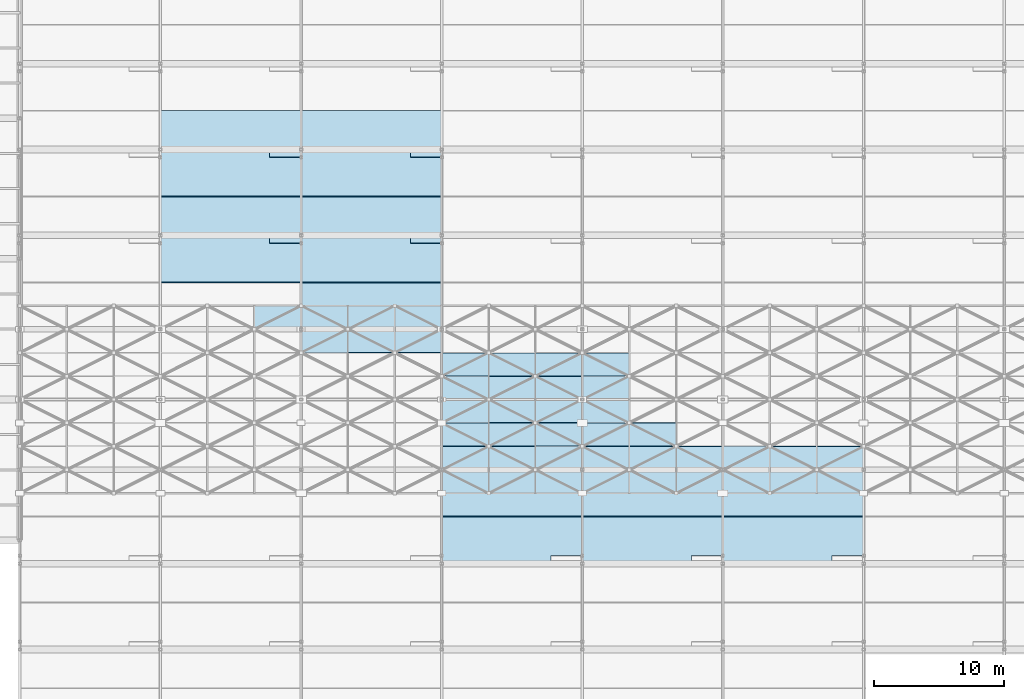
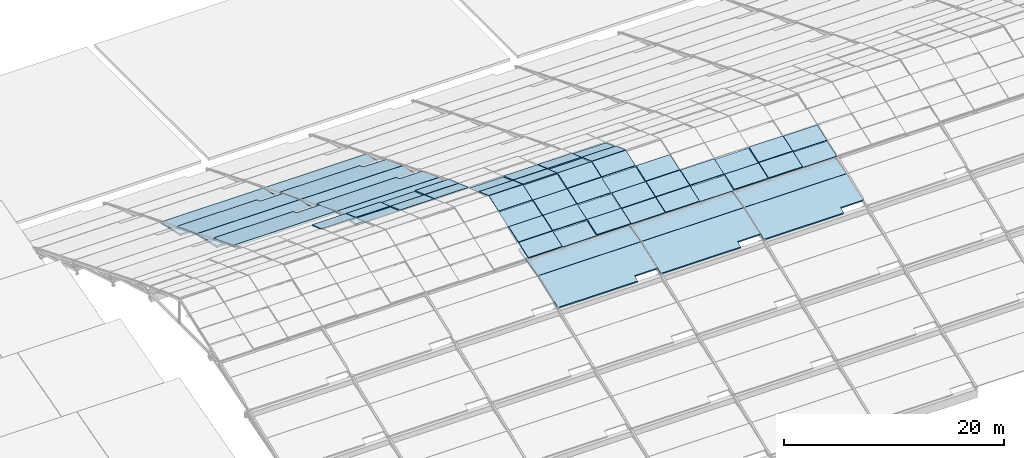
# One storey, part 99 of 112: 42 plates, 15 slabs, 5 elements without a shape of their own.
"""IFC4 building model written with IfcOpenShell, lengths in metres."""

from ifc_helpers import new_model, si_unit, direction, frame, origin, place, context, subcontext, project, spatial, polyline, outline, extrude, material, layer, layer_set, type_object, element, aggregate, save


model = new_model("IFC4")

# Units and contexts
model_context = context("Model", 3, precision=1e-05, world=origin(), true_north=direction((0.0, 1.0)))
body_context = subcontext(model_context, "Body", "Model", "MODEL_VIEW")
ifc_project = project(units=[si_unit("LENGTHUNIT", "METRE"), si_unit("AREAUNIT", "SQUARE_METRE"), si_unit("VOLUMEUNIT", "CUBIC_METRE"), si_unit("PLANEANGLEUNIT", "RADIAN"), si_unit("MASSUNIT", "GRAM", prefix="KILO")], contexts=[model_context])

# Site, building, storey
site_placement = place(None, origin())
site = spatial("IfcSite", under=ifc_project, at=site_placement, CompositionType="ELEMENT")
building_placement = place(site_placement, origin())
building = spatial("IfcBuilding", under=site, at=building_placement, Name="Zwinboog Wholesale Market", CompositionType="ELEMENT")
storey_placement = place(building_placement, frame((0.0, 0.0, 19.080078125)))
storey = spatial("IfcBuildingStorey", under=building, at=storey_placement, Name="Roof", CompositionType="ELEMENT", Elevation=19.080078125)

# Roof, slab
ifc_material_1 = material(Name="Concrete C50/60", Category="concrete")
roof_type = type_object("IfcRoofType", Name="RFT-SHELL-BARREL", PredefinedType="BARREL_ROOF", material=ifc_material_1)
roof_1_placement = place(storey_placement, origin())
roof_1 = element("IfcRoof", 1, at=roof_1_placement, inside=storey, type_object=roof_type, Name="RF-SH (ROOF-BARREL-02)", PredefinedType="BARREL_ROOF")
ifc_layer_1 = layer(ifc_material_1, 0.172119140625)
ifc_layer_set_1 = layer_set([ifc_layer_1], Name="Concrete C50/60")
slab_type_1 = type_object("IfcSlabType", Name="SLT-SH-172", PredefinedType="ROOF", material=ifc_layer_set_1)
slab_1_placement = place(storey_placement, frame((75.610107421875, 94.2099609375, -4.630126953125), z_axis=(0.0, 0.219360206869, 0.975643941017), x_axis=(1.0, 0.0, 0.0)))
slab_1 = element("IfcSlab", 2, at=slab_1_placement, type_object=slab_type_1, Name="SH-172 (SLB-SH-NT2-B02-2)", PredefinedType="ROOF", context=body_context, shape_type="SweptSolid", body=[
    extrude(outline(polyline([(0.0, 0.0), (10.77978515625, 0.0), (10.77978515625, 3.669451502225199), (0.0, 3.669451502225199), (0.0, 0.0)])), origin(), (0.0, 0.0, -1.0), 0.172119140625),
])

roof_2_placement = place(storey_placement, origin())
roof_2 = element("IfcRoof", 3, at=roof_2_placement, inside=storey, type_object=roof_type, Name="RF-SH (ROOF-BARREL-03)", PredefinedType="BARREL_ROOF")
slab_2_placement = place(storey_placement, frame((86.409912109375, 94.2099609375, -4.630126953125), z_axis=(0.0, 0.219360206869, 0.975643941017), x_axis=(1.0, 0.0, 0.0)))
slab_2 = element("IfcSlab", 4, at=slab_2_placement, type_object=slab_type_1, Name="SH-172 (SLB-SH-NT2-B03-2)", PredefinedType="ROOF", context=body_context, shape_type="SweptSolid", body=[
    extrude(outline(polyline([(0.0, 0.0), (10.780029296875, 0.0), (10.780029296875, 3.669451502225199), (0.0, 3.669451502225199), (0.0, 0.0)])), origin(), (0.0, 0.0, -1.0), 0.172119140625),
])

# Slab
ifc_layer_2 = layer(ifc_material_1, 0.18603515625)
ifc_layer_set_2 = layer_set([ifc_layer_2], Name="Concrete C50/60")
slab_type_2 = type_object("IfcSlabType", Name="SLT-SH-186", PredefinedType="ROOF", material=ifc_layer_set_2)
slab_3_placement = place(storey_placement, frame((75.610107421875, 91.2099609375, -2.735107421875), z_axis=(4.69326e-06, 0.351688567707, 0.936117060694), x_axis=(0.999999999989, -1.650566e-06, -4.393441e-06)))
slab_3 = element("IfcSlab", 5, at=slab_3_placement, type_object=slab_type_2, Name="SH-186 (SLB-SH-NT3-B02-1)", PredefinedType="ROOF", context=body_context, shape_type="SweptSolid", body=[
    extrude(outline(polyline([(0.0, 0.0), (10.779785156131279, 0.0), (10.77978515650044, 3.183371243768934), (8.37988281277687, 3.183371243768934), (8.379882812301986, 3.824383031661528), (-1.0572380666834866e-10, 3.824383031661528), (0.0, 0.0)])), origin(), (0.0, 0.0, -1.0), 0.18603515625),
])

slab_4_placement = place(storey_placement, frame((75.610107421875, 87.610107421875, -1.93017578125), z_axis=(0.0, 0.219374447053, 0.975640739197), x_axis=(1.0, 0.0, 0.0)))
slab_4 = element("IfcSlab", 6, at=slab_4_placement, type_object=slab_type_2, Name="SH-186 (SLB-SH-NT3-B02-2)", PredefinedType="ROOF", context=body_context, shape_type="SweptSolid", body=[
    extrude(outline(polyline([(0.0, 0.0), (10.77978515625, 0.0), (10.77978515625, 3.6692133082944967), (0.0, 3.6692133082944967), (0.0, 0.0)])), origin(), (0.0, 0.0, -1.0), 0.18603515625),
])

slab_5_placement = place(storey_placement, frame((86.409912109375, 91.2099609375, -2.735107421875), z_axis=(4.69315e-06, 0.351688567577, 0.936117060743), x_axis=(0.999999999989, -1.650527e-06, -4.393337e-06)))
slab_5 = element("IfcSlab", 7, at=slab_5_placement, type_object=slab_type_2, Name="SH-186 (SLB-SH-NT3-B03-1)", PredefinedType="ROOF", context=body_context, shape_type="SweptSolid", body=[
    extrude(outline(polyline([(0.0, 0.0), (10.78002929675628, 2.2827599967049336e-21), (10.780029297125436, 3.183371243768923), (8.380126953401867, 3.183371243768923), (8.380126952926993, 3.824383031661531), (-1.0571883235301646e-10, 3.824383031661531), (0.0, 0.0)])), origin(), (0.0, 0.0, -1.0), 0.18603515625),
])

slab_6_placement = place(storey_placement, frame((86.409912109375, 87.610107421875, -1.93017578125), z_axis=(0.0, 0.219374447053, 0.975640739197), x_axis=(1.0, 0.0, 0.0)))
slab_6 = element("IfcSlab", 8, at=slab_6_placement, type_object=slab_type_2, Name="SH-186 (SLB-SH-NT3-B03-2)", PredefinedType="ROOF", context=body_context, shape_type="SweptSolid", body=[
    extrude(outline(polyline([(0.0, 0.0), (10.780029296875, 0.0), (10.780029296875, 3.6692133082944967), (0.0, 3.6692133082944967), (0.0, 0.0)])), origin(), (0.0, 0.0, -1.0), 0.18603515625),
])

ifc_layer_3 = layer(ifc_material_1, 0.201904296875)
ifc_layer_set_3 = layer_set([ifc_layer_3], Name="Concrete C50/60")
slab_type_3 = type_object("IfcSlabType", Name="SLT-SH-202", PredefinedType="ROOF", material=ifc_layer_set_3)
slab_7_placement = place(storey_placement, frame((75.610107421875, 84.610107421875, -0.03515625), z_axis=(1.249594e-06, 0.351705539607, 0.936110684379), x_axis=(0.999999999999, -4.39489e-07, -1.169758e-06)))
slab_7 = element("IfcSlab", 9, at=slab_7_placement, type_object=slab_type_3, Name="SH-202 (SLB-SH-NT4-B02-1)", PredefinedType="ROOF", context=body_context, shape_type="SweptSolid", body=[
    extrude(outline(polyline([(0.0, 0.0), (10.779785156241584, 0.0), (10.779785156267753, 3.1833712446718234), (8.379882812519627, 3.1833712446718234), (8.379882812485963, 3.824154487977018), (-7.494821892877005e-12, 3.824154487977018), (0.0, 0.0)])), origin(), (0.0, 0.0, -1.0), 0.201904296875),
])

aggregate(roof_1, [slab_1, slab_3, slab_4, slab_7])

slab_8_placement = place(storey_placement, frame((86.409912109375, 84.610107421875, -0.03515625), z_axis=(1.249564e-06, 0.351705539572, 0.936110684392), x_axis=(0.999999999999, -4.39479e-07, -1.169731e-06)))
slab_8 = element("IfcSlab", 10, at=slab_8_placement, type_object=slab_type_3, Name="SH-202 (SLB-SH-NT4-B03-1)", PredefinedType="ROOF", context=body_context, shape_type="SweptSolid", body=[
    extrude(outline(polyline([(0.0, 0.0), (10.780029296866584, -5.706899991762334e-22), (10.780029296892753, 3.183371244671823), (8.380126953144627, 3.183371244671823), (8.380126953110963, 3.824154487977019), (-7.494469264378976e-12, 3.824154487977019), (0.0, 0.0)])), origin(), (0.0, 0.0, -1.0), 0.201904296875),
])

slab_9_placement = place(storey_placement, frame((86.409912109375, 81.010009765625, 0.77001953125), z_axis=(0.0, 0.219423537249, 0.975629699887), x_axis=(1.0, 0.0, 0.0)))
slab_9 = element("IfcSlab", 11, at=slab_9_placement, type_object=slab_type_3, Name="SH-202 (SLB-SH-NT4-B03-2)", PredefinedType="ROOF", context=body_context, shape_type="SweptSolid", body=[
    extrude(outline(polyline([(0.0, 0.0), (10.780029296875, 0.0), (10.780029296875, 3.66950506469402), (0.0, 3.66950506469402), (0.0, 0.0)])), origin(), (0.0, 0.0, -1.0), 0.201904296875),
])

aggregate(roof_2, [slab_2, slab_5, slab_6, slab_8, slab_9])

# Roof, slabs
roof_3_placement = place(storey_placement, origin())
roof_3 = element("IfcRoof", 12, at=roof_3_placement, inside=storey, type_object=roof_type, Name="RF-SH (ROOF-BARREL-04)", PredefinedType="BARREL_ROOF")
slab_10_placement = place(storey_placement, frame((97.2099609375, 63.010009765625, -1.380126953125), z_axis=(4.69315e-06, -0.351688567577, 0.936117060743), x_axis=(0.999999999989, 1.650527e-06, -4.393337e-06)))
slab_10 = element("IfcSlab", 13, at=slab_10_placement, type_object=slab_type_3, Name="SH-202 (SLB-SH-ST4-B04-1)", PredefinedType="ROOF", context=body_context, shape_type="SweptSolid", body=[
    extrude(outline(polyline([(0.0, 0.0), (8.380126953032711, -1.774560907867667e-21), (8.380126953507585, 0.6410117878926078), (10.780029297231154, 0.6410117878926078), (10.780029296861999, 3.824383031661531), (1.0571883235301646e-10, 3.824383031661531), (0.0, 0.0)])), origin(), (0.0, 0.0, -1.0), 0.201904296875),
])
slab_11_placement = place(storey_placement, frame((97.2099609375, 66.610107421875, -0.03515625), z_axis=(0.0, -0.219437781128, 0.975626496265), x_axis=(1.0, 0.0, 0.0)))
slab_11 = element("IfcSlab", 14, at=slab_11_placement, type_object=slab_type_3, Name="SH-202 (SLB-SH-ST4-B04-2)", PredefinedType="ROOF", context=body_context, shape_type="SweptSolid", body=[
    extrude(outline(polyline([(0.0, 0.0), (10.780029296875, 0.0), (10.780029296875, 3.669266874240375), (0.0, 3.669266874240375), (0.0, 0.0)])), origin(), (0.0, 0.0, -1.0), 0.201904296875),
])
aggregate(roof_3, [slab_10, slab_11])

roof_4_placement = place(storey_placement, origin())
roof_4 = element("IfcRoof", 15, at=roof_4_placement, inside=storey, type_object=roof_type, Name="RF-SH (ROOF-BARREL-05)", PredefinedType="BARREL_ROOF")
slab_12_placement = place(storey_placement, frame((108.010009765625, 63.010009765625, -1.380126953125), z_axis=(4.693168e-06, -0.35168856816, 0.936117060524), x_axis=(0.999999999989, 1.650534e-06, -4.393355e-06)))
slab_12 = element("IfcSlab", 16, at=slab_12_placement, type_object=slab_type_3, Name="SH-202 (SLB-SH-ST4-B05-1)", PredefinedType="ROOF", context=body_context, shape_type="SweptSolid", body=[
    extrude(outline(polyline([(0.0, 0.0), (8.379882812407713, -1.7745092090793826e-21), (8.379882812882592, 0.641011787892545), (10.78002929723116, 0.641011787892545), (10.78002929686201, 3.8243830316615175), (1.0573042088097136e-10, 3.8243830316615175), (0.0, 0.0)])), origin(), (0.0, 0.0, -1.0), 0.201904296875),
])
slab_13_placement = place(storey_placement, frame((108.010009765625, 66.610107421875, -0.03515625), z_axis=(0.0, -0.219437781128, 0.975626496265), x_axis=(1.0, 0.0, 0.0)))
slab_13 = element("IfcSlab", 17, at=slab_13_placement, type_object=slab_type_3, Name="SH-202 (SLB-SH-ST4-B05-2)", PredefinedType="ROOF", context=body_context, shape_type="SweptSolid", body=[
    extrude(outline(polyline([(0.0, 0.0), (10.780029296875, 0.0), (10.780029296875, 3.669266874240375), (0.0, 3.669266874240375), (0.0, 0.0)])), origin(), (0.0, 0.0, -1.0), 0.201904296875),
])
aggregate(roof_4, [slab_12, slab_13])

roof_5_placement = place(storey_placement, origin())
roof_5 = element("IfcRoof", 18, at=roof_5_placement, inside=storey, type_object=roof_type, Name="RF-SH (ROOF-BARREL-01)", PredefinedType="BARREL_ROOF")
slab_14_placement = place(storey_placement, frame((118.81005859375, 63.010009765625, -1.380126953125), z_axis=(4.693168e-06, -0.35168856816, 0.936117060524), x_axis=(0.999999999989, 1.650534e-06, -4.393355e-06)))
slab_14 = element("IfcSlab", 19, at=slab_14_placement, type_object=slab_type_3, Name="SH-202 (SLB-SH-ST4-B06-1)", PredefinedType="ROOF", context=body_context, shape_type="SweptSolid", body=[
    extrude(outline(polyline([(0.0, 0.0), (8.379882812407713, -1.7745092090793826e-21), (8.379882812882592, 0.641011787892545), (10.78002929723116, 0.641011787892545), (10.78002929686201, 3.8243830316615175), (1.0573042088097136e-10, 3.8243830316615175), (0.0, 0.0)])), origin(), (0.0, 0.0, -1.0), 0.201904296875),
])
slab_15_placement = place(storey_placement, frame((118.81005859375, 66.610107421875, -0.03515625), z_axis=(0.0, -0.219437781128, 0.975626496265), x_axis=(1.0, 0.0, 0.0)))
slab_15 = element("IfcSlab", 20, at=slab_15_placement, type_object=slab_type_3, Name="SH-202 (SLB-SH-ST4-B06-2)", PredefinedType="ROOF", context=body_context, shape_type="SweptSolid", body=[
    extrude(outline(polyline([(0.0, 0.0), (10.780029296875, 0.0), (10.780029296875, 3.669266874240375), (0.0, 3.669266874240375), (0.0, 0.0)])), origin(), (0.0, 0.0, -1.0), 0.201904296875),
])
aggregate(roof_5, [slab_14, slab_15])

# Plates
ifc_material_2 = material(Name="Blue solar control glass", Category="glass")
ifc_layer_4 = layer(ifc_material_2, 0.030029296875)
ifc_layer_set_4 = layer_set([ifc_layer_4], Name="Blue solar control glass")
plate_type_1 = type_object("IfcPlateType", Name="PLT-SKG-01", PredefinedType="SHEET", material=ifc_layer_set_4)
for number, where, z_axis, x_axis, name in (
    (21, (86.419921875, 79.219970703125, 2.017822265625), (0.0, 0.333825357548, 0.942634940291), (1.0, 0.0, 0.0), "SKG-01 (PLT-SKY-0066)"),
    (22, (104.419921875, 70.219970703125, 1.39453125), (0.0, -0.333825357548, 0.942634940291), (1.0, 0.0, 0.0), "SKG-01 (PLT-SKY-0106)"),
):
    element("IfcPlate", number, at=place(storey_placement, frame(where, z_axis=z_axis, x_axis=x_axis)), inside=storey, type_object=plate_type_1, Name=name, PredefinedType="SHEET", context=body_context, shape_type="SweptSolid", body=[
        extrude(outline(polyline([(0.0, 0.0), (3.56005859375, 0.0), (3.56005859375, 1.8671170464794682), (0.0, 1.8671170464794682), (0.0, 0.0)])), origin(), (0.0, 0.0, -1.0), 0.030029296875),
    ])
ifc_layer_5 = layer(ifc_material_2, 0.033935546875)
ifc_layer_set_5 = layer_set([ifc_layer_5], Name="Blue solar control glass")
plate_type_2 = type_object("IfcPlateType", Name="PLT-SKG-02", PredefinedType="SHEET", material=ifc_layer_set_5)
plate_1_placement = place(storey_placement, frame((100.820068359375, 73.820068359375, 2.673583984375), z_axis=(0.0, -0.333825357548, 0.942634940291), x_axis=(1.0, 0.0, 0.0)))
element("IfcPlate", 23, at=plate_1_placement, inside=storey, type_object=plate_type_2, Name="SKG-02 (PLT-SKY-0100)", PredefinedType="SHEET", context=body_context, shape_type="SweptSolid", body=[
    extrude(outline(polyline([(0.0, 0.0), (3.559814453125, 0.0), (3.559814453125, 1.8671170464794682), (0.0, 1.8671170464794682), (0.0, 0.0)])), origin(), (0.0, 0.0, -1.0), 0.033935546875),
])
ifc_layer_6 = layer(ifc_material_2, 0.0380859375)
ifc_layer_set_6 = layer_set([ifc_layer_6], Name="Blue solar control glass")
plate_type_3 = type_object("IfcPlateType", Name="PLT-SKG-03", PredefinedType="SHEET", material=ifc_layer_set_6)
for number, where, z_axis, x_axis, name in (
    (24, (90.02001953125, 81.02001953125, 1.388427734375), (0.0, 0.333825357548, 0.942634940291), (1.0, 0.0, 0.0), "SKG-03 (PLT-SKY-0076)"),
    (25, (97.219970703125, 77.419921875, 2.663330078125), (0.0, 0.333825357548, 0.942634940291), (1.0, 0.0, 0.0), "SKG-03 (PLT-SKY-0093)"),
    (26, (108.02001953125, 72.02001953125, 2.0400390625), (0.0, -0.333825357548, 0.942634940291), (1.0, 0.0, 0.0), "SKG-03 (PLT-SKY-0116)"),
    (27, (115.219970703125, 68.419921875, 0.76513671875), (0.0, -0.333825357548, 0.942634940291), (1.0, 0.0, 0.0), "SKG-03 (PLT-SKY-0133)"),
):
    element("IfcPlate", number, at=place(storey_placement, frame(where, z_axis=z_axis, x_axis=x_axis)), inside=storey, type_object=plate_type_3, Name=name, PredefinedType="SHEET", context=body_context, shape_type="SweptSolid", body=[
        extrude(outline(polyline([(0.0, 0.0), (3.56005859375, 0.0), (3.56005859375, 1.8671170464794682), (0.0, 1.8671170464794682), (0.0, 0.0)])), origin(), (0.0, 0.0, -1.0), 0.0380859375),
    ])
ifc_layer_7 = layer(ifc_material_2, 0.0419921875)
ifc_layer_set_7 = layer_set([ifc_layer_7], Name="Blue solar control glass")
plate_type_4 = type_object("IfcPlateType", Name="PLT-SKG-04", PredefinedType="SHEET", material=ifc_layer_set_7)
plate_2_placement = place(storey_placement, frame((104.419921875, 75.6201171875, 3.304931640625), z_axis=(0.0, 0.333866508657, 0.942620366), x_axis=(1.0, 0.0, 0.0)))
element("IfcPlate", 28, at=plate_2_placement, inside=storey, type_object=plate_type_4, Name="SKG-04 (PLT-SKY-0109)", PredefinedType="SHEET", context=body_context, shape_type="SweptSolid", body=[
    extrude(outline(polyline([(0.0, 0.0), (3.56005859375, 0.0), (3.56005859375, 1.866886912774977), (0.0, 1.866886912774977), (0.0, 0.0)])), origin(), (0.0, 0.0, -1.0), 0.0419921875),
])
ifc_layer_8 = layer(ifc_material_2, 0.0458984375)
ifc_layer_set_8 = layer_set([ifc_layer_8], Name="Blue solar control glass")
plate_type_5 = type_object("IfcPlateType", Name="PLT-SKG-05", PredefinedType="SHEET", material=ifc_layer_set_8)
plate_3_placement = place(storey_placement, frame((100.820068359375, 68.419921875, 0.77294921875), z_axis=(0.0, -0.333825357548, 0.942634940291), x_axis=(1.0, 0.0, 0.0)))
element("IfcPlate", 29, at=plate_3_placement, inside=storey, type_object=plate_type_5, Name="SKG-05 (PLT-SKY-0097)", PredefinedType="SHEET", context=body_context, shape_type="SweptSolid", body=[
    extrude(outline(polyline([(0.0, 0.0), (3.559814453125, 0.0), (3.559814453125, 1.8671170464794682), (0.0, 1.8671170464794682), (0.0, 0.0)])), origin(), (0.0, 0.0, -1.0), 0.0458984375),
])
plate_4_placement = place(storey_placement, frame((118.820068359375, 70.219970703125, 1.410400390625), z_axis=(0.0, -0.333941536415, 0.942593788573), x_axis=(1.0, 0.0, 0.0)))
element("IfcPlate", 30, at=plate_4_placement, inside=storey, type_object=plate_type_5, Name="SKG-05 (PLT-SKY-0143)", PredefinedType="SHEET", context=body_context, shape_type="SweptSolid", body=[
    extrude(outline(polyline([(0.0, 0.0), (3.559814453125, 0.0), (3.559814453125, 1.867198560993201), (0.0, 1.867198560993201), (0.0, 0.0)])), origin(), (0.0, 0.0, -1.0), 0.0458984375),
])
ifc_layer_9 = layer(ifc_material_2, 0.050048828125)
ifc_layer_set_9 = layer_set([ifc_layer_9], Name="Blue solar control glass")
plate_type_6 = type_object("IfcPlateType", Name="PLT-SKG-06", PredefinedType="SHEET", material=ifc_layer_set_9)
for number, where, z_axis, x_axis, name in (
    (31, (97.219970703125, 72.02001953125, 2.052001953125), (0.0, -0.333825357548, 0.942634940291), (1.0, 0.0, 0.0), "SKG-06 (PLT-SKY-0088)"),
    (32, (108.02001953125, 77.419921875, 2.67529296875), (0.0, 0.333825357548, 0.942634940291), (1.0, 0.0, 0.0), "SKG-06 (PLT-SKY-0121)"),
    (33, (126.02001953125, 68.419921875, 0.777099609375), (0.0, -0.333825357548, 0.942634940291), (1.0, 0.0, 0.0), "SKG-06 (PLT-SKY-0161)"),
):
    element("IfcPlate", number, at=place(storey_placement, frame(where, z_axis=z_axis, x_axis=x_axis)), inside=storey, type_object=plate_type_6, Name=name, PredefinedType="SHEET", context=body_context, shape_type="SweptSolid", body=[
        extrude(outline(polyline([(0.0, 0.0), (3.56005859375, 0.0), (3.56005859375, 1.8671170464794682), (0.0, 1.8671170464794682), (0.0, 0.0)])), origin(), (0.0, 0.0, -1.0), 0.050048828125),
    ])
ifc_material_3 = material(Name="White insulated aluminium roof panel", Category="aluminium")
ifc_layer_10 = layer(ifc_material_3, 0.110107421875)
ifc_layer_set_10 = layer_set([ifc_layer_10], Name="White insulated aluminium roof panel")
plate_type_7 = type_object("IfcPlateType", Name="PLT-SKW-01", PredefinedType="USERDEFINED", material=ifc_layer_set_10)
plate_5_placement = place(storey_placement, frame((82.820068359375, 81.02001953125, 1.460205078125), z_axis=(0.0, 0.333825357548, 0.942634940291), x_axis=(1.0, 0.0, 0.0)))
element("IfcPlate", 34, at=plate_5_placement, inside=storey, type_object=plate_type_7, Name="SKW-01 (PLT-SKY-0056)", ObjectType="INSULATED_ROOF_PANEL", PredefinedType="USERDEFINED", context=body_context, shape_type="SweptSolid", body=[
    extrude(outline(polyline([(0.0, 0.0), (3.559814453125, 0.0), (3.559814453125, 1.8671170464794682), (0.0, 1.8671170464794682), (0.0, 0.0)])), origin(), (0.0, 0.0, -1.0), 0.110107421875),
])
plate_6_placement = place(storey_placement, frame((97.219970703125, 73.820068359375, 2.74951171875), z_axis=(0.0, -0.333825357548, 0.942634940291), x_axis=(1.0, 0.0, 0.0)))
element("IfcPlate", 35, at=plate_6_placement, inside=storey, type_object=plate_type_7, Name="SKW-01 (PLT-SKY-0090)", ObjectType="INSULATED_ROOF_PANEL", PredefinedType="USERDEFINED", context=body_context, shape_type="SweptSolid", body=[
    extrude(outline(polyline([(0.0, 0.0), (3.56005859375, 0.0), (3.56005859375, 1.8671170464794682), (0.0, 1.8671170464794682), (0.0, 0.0)])), origin(), (0.0, 0.0, -1.0), 0.110107421875),
])
plate_7_placement = place(storey_placement, frame((100.820068359375, 72.02001953125, 2.112060546875), z_axis=(0.0, -0.333825357548, 0.942634940291), x_axis=(1.0, 0.0, 0.0)))
element("IfcPlate", 36, at=plate_7_placement, inside=storey, type_object=plate_type_7, Name="SKW-01 (PLT-SKY-0099)", ObjectType="INSULATED_ROOF_PANEL", PredefinedType="USERDEFINED", context=body_context, shape_type="SweptSolid", body=[
    extrude(outline(polyline([(0.0, 0.0), (3.559814453125, 0.0), (3.559814453125, 1.8671170464794682), (0.0, 1.8671170464794682), (0.0, 0.0)])), origin(), (0.0, 0.0, -1.0), 0.110107421875),
])
for number, where, z_axis, x_axis, name in (
    (37, (108.02001953125, 68.419921875, 0.8369140625), (0.0, -0.333825357548, 0.942634940291), (1.0, 0.0, 0.0), "SKW-01 (PLT-SKY-0114)"),
    (38, (126.02001953125, 70.219970703125, 1.474609375), (0.0, -0.333825357548, 0.942634940291), (1.0, 0.0, 0.0), "SKW-01 (PLT-SKY-0162)"),
):
    element("IfcPlate", number, at=place(storey_placement, frame(where, z_axis=z_axis, x_axis=x_axis)), inside=storey, type_object=plate_type_7, Name=name, ObjectType="INSULATED_ROOF_PANEL", PredefinedType="USERDEFINED", context=body_context, shape_type="SweptSolid", body=[
        extrude(outline(polyline([(0.0, 0.0), (3.56005859375, 0.0), (3.56005859375, 1.8671170464794682), (0.0, 1.8671170464794682), (0.0, 0.0)])), origin(), (0.0, 0.0, -1.0), 0.110107421875),
    ])
ifc_layer_11 = layer(ifc_material_3, 0.1201171875)
ifc_layer_set_11 = layer_set([ifc_layer_11], Name="White insulated aluminium roof panel")
plate_type_8 = type_object("IfcPlateType", Name="PLT-SKW-02", PredefinedType="USERDEFINED", material=ifc_layer_set_11)
for number, where, z_axis, x_axis, name in (
    (39, (86.419921875, 81.02001953125, 1.47021484375), (0.0, 0.333825357548, 0.942634940291), (1.0, 0.0, 0.0), "SKW-02 (PLT-SKY-0068)"),
    (40, (90.02001953125, 79.219970703125, 2.10791015625), (0.0, 0.333825357548, 0.942634940291), (1.0, 0.0, 0.0), "SKW-02 (PLT-SKY-0075)"),
):
    element("IfcPlate", number, at=place(storey_placement, frame(where, z_axis=z_axis, x_axis=x_axis)), inside=storey, type_object=plate_type_8, Name=name, ObjectType="INSULATED_ROOF_PANEL", PredefinedType="USERDEFINED", context=body_context, shape_type="SweptSolid", body=[
        extrude(outline(polyline([(0.0, 0.0), (3.56005859375, 0.0), (3.56005859375, 1.8671170464794682), (0.0, 1.8671170464794682), (0.0, 0.0)])), origin(), (0.0, 0.0, -1.0), 0.1201171875),
    ])
plate_8_placement = place(storey_placement, frame((97.219970703125, 75.6201171875, 3.3828125), z_axis=(0.0, 0.333866508657, 0.942620366), x_axis=(1.0, 0.0, 0.0)))
element("IfcPlate", 41, at=plate_8_placement, inside=storey, type_object=plate_type_8, Name="SKW-02 (PLT-SKY-0092)", ObjectType="INSULATED_ROOF_PANEL", PredefinedType="USERDEFINED", context=body_context, shape_type="SweptSolid", body=[
    extrude(outline(polyline([(0.0, 0.0), (3.56005859375, 0.0), (3.56005859375, 1.866886912774977), (0.0, 1.866886912774977), (0.0, 0.0)])), origin(), (0.0, 0.0, -1.0), 0.1201171875),
])
for number, where, z_axis, x_axis, name in (
    (42, (104.419921875, 72.02001953125, 2.1220703125), (0.0, -0.333825357548, 0.942634940291), (1.0, 0.0, 0.0), "SKW-02 (PLT-SKY-0107)"),
    (43, (108.02001953125, 70.219970703125, 1.484619140625), (0.0, -0.333825357548, 0.942634940291), (1.0, 0.0, 0.0), "SKW-02 (PLT-SKY-0115)"),
):
    element("IfcPlate", number, at=place(storey_placement, frame(where, z_axis=z_axis, x_axis=x_axis)), inside=storey, type_object=plate_type_8, Name=name, ObjectType="INSULATED_ROOF_PANEL", PredefinedType="USERDEFINED", context=body_context, shape_type="SweptSolid", body=[
        extrude(outline(polyline([(0.0, 0.0), (3.56005859375, 0.0), (3.56005859375, 1.8671170464794682), (0.0, 1.8671170464794682), (0.0, 0.0)])), origin(), (0.0, 0.0, -1.0), 0.1201171875),
    ])
plate_9_placement = place(storey_placement, frame((111.6201171875, 68.419921875, 0.846923828125), z_axis=(0.0, -0.333825357548, 0.942634940291), x_axis=(1.0, 0.0, 0.0)))
element("IfcPlate", 44, at=plate_9_placement, inside=storey, type_object=plate_type_8, Name="SKW-02 (PLT-SKY-0125)", ObjectType="INSULATED_ROOF_PANEL", PredefinedType="USERDEFINED", context=body_context, shape_type="SweptSolid", body=[
    extrude(outline(polyline([(0.0, 0.0), (3.559814453125, 0.0), (3.559814453125, 1.8671170464794682), (0.0, 1.8671170464794682), (0.0, 0.0)])), origin(), (0.0, 0.0, -1.0), 0.1201171875),
])
ifc_layer_12 = layer(ifc_material_3, 0.1298828125)
ifc_layer_set_12 = layer_set([ifc_layer_12], Name="White insulated aluminium roof panel")
plate_type_9 = type_object("IfcPlateType", Name="PLT-SKW-03", PredefinedType="USERDEFINED", material=ifc_layer_set_12)
plate_10_placement = place(storey_placement, frame((93.6201171875, 79.219970703125, 2.117919921875), z_axis=(0.0, 0.333825357548, 0.942634940291), x_axis=(1.0, 0.0, 0.0)))
element("IfcPlate", 45, at=plate_10_placement, inside=storey, type_object=plate_type_9, Name="SKW-03 (PLT-SKY-0083)", ObjectType="INSULATED_ROOF_PANEL", PredefinedType="USERDEFINED", context=body_context, shape_type="SweptSolid", body=[
    extrude(outline(polyline([(0.0, 0.0), (3.559814453125, 0.0), (3.559814453125, 1.8671170464794682), (0.0, 1.8671170464794682), (0.0, 0.0)])), origin(), (0.0, 0.0, -1.0), 0.1298828125),
])
plate_11_placement = place(storey_placement, frame((100.820068359375, 75.6201171875, 3.392822265625), z_axis=(0.0, 0.333866508657, 0.942620366), x_axis=(1.0, 0.0, 0.0)))
element("IfcPlate", 46, at=plate_11_placement, inside=storey, type_object=plate_type_9, Name="SKW-03 (PLT-SKY-0101)", ObjectType="INSULATED_ROOF_PANEL", PredefinedType="USERDEFINED", context=body_context, shape_type="SweptSolid", body=[
    extrude(outline(polyline([(0.0, 0.0), (3.559814453125, 0.0), (3.559814453125, 1.866886912774977), (0.0, 1.866886912774977), (0.0, 0.0)])), origin(), (0.0, 0.0, -1.0), 0.1298828125),
])
plate_12_placement = place(storey_placement, frame((104.419921875, 73.820068359375, 2.76953125), z_axis=(0.0, -0.333825357548, 0.942634940291), x_axis=(1.0, 0.0, 0.0)))
element("IfcPlate", 47, at=plate_12_placement, inside=storey, type_object=plate_type_9, Name="SKW-03 (PLT-SKY-0108)", ObjectType="INSULATED_ROOF_PANEL", PredefinedType="USERDEFINED", context=body_context, shape_type="SweptSolid", body=[
    extrude(outline(polyline([(0.0, 0.0), (3.56005859375, 0.0), (3.56005859375, 1.8671170464794682), (0.0, 1.8671170464794682), (0.0, 0.0)])), origin(), (0.0, 0.0, -1.0), 0.1298828125),
])
plate_13_placement = place(storey_placement, frame((111.6201171875, 70.219970703125, 1.49462890625), z_axis=(0.0, -0.333825357548, 0.942634940291), x_axis=(1.0, 0.0, 0.0)))
element("IfcPlate", 48, at=plate_13_placement, inside=storey, type_object=plate_type_9, Name="SKW-03 (PLT-SKY-0126)", ObjectType="INSULATED_ROOF_PANEL", PredefinedType="USERDEFINED", context=body_context, shape_type="SweptSolid", body=[
    extrude(outline(polyline([(0.0, 0.0), (3.559814453125, 0.0), (3.559814453125, 1.8671170464794682), (0.0, 1.8671170464794682), (0.0, 0.0)])), origin(), (0.0, 0.0, -1.0), 0.1298828125),
])
ifc_layer_13 = layer(ifc_material_3, 0.139892578125)
ifc_layer_set_13 = layer_set([ifc_layer_13], Name="White insulated aluminium roof panel")
plate_type_10 = type_object("IfcPlateType", Name="PLT-SKW-04", PredefinedType="USERDEFINED", material=ifc_layer_set_13)
plate_14_placement = place(storey_placement, frame((93.6201171875, 81.02001953125, 1.490234375), z_axis=(0.0, 0.333825357548, 0.942634940291), x_axis=(1.0, 0.0, 0.0)))
element("IfcPlate", 49, at=plate_14_placement, inside=storey, type_object=plate_type_10, Name="SKW-04 (PLT-SKY-0084)", ObjectType="INSULATED_ROOF_PANEL", PredefinedType="USERDEFINED", context=body_context, shape_type="SweptSolid", body=[
    extrude(outline(polyline([(0.0, 0.0), (3.559814453125, 0.0), (3.559814453125, 1.8671170464794682), (0.0, 1.8671170464794682), (0.0, 0.0)])), origin(), (0.0, 0.0, -1.0), 0.139892578125),
])
plate_15_placement = place(storey_placement, frame((97.219970703125, 68.419921875, 0.866943359375), z_axis=(0.0, -0.333825357548, 0.942634940291), x_axis=(1.0, 0.0, 0.0)))
element("IfcPlate", 50, at=plate_15_placement, inside=storey, type_object=plate_type_10, Name="SKW-04 (PLT-SKY-0086)", ObjectType="INSULATED_ROOF_PANEL", PredefinedType="USERDEFINED", context=body_context, shape_type="SweptSolid", body=[
    extrude(outline(polyline([(0.0, 0.0), (3.56005859375, 0.0), (3.56005859375, 1.8671170464794682), (0.0, 1.8671170464794682), (0.0, 0.0)])), origin(), (0.0, 0.0, -1.0), 0.139892578125),
])
plate_16_placement = place(storey_placement, frame((100.820068359375, 77.419921875, 2.765380859375), z_axis=(0.0, 0.333825357548, 0.942634940291), x_axis=(1.0, 0.0, 0.0)))
element("IfcPlate", 51, at=plate_16_placement, inside=storey, type_object=plate_type_10, Name="SKW-04 (PLT-SKY-0102)", ObjectType="INSULATED_ROOF_PANEL", PredefinedType="USERDEFINED", context=body_context, shape_type="SweptSolid", body=[
    extrude(outline(polyline([(0.0, 0.0), (3.559814453125, 0.0), (3.559814453125, 1.8671170464794682), (0.0, 1.8671170464794682), (0.0, 0.0)])), origin(), (0.0, 0.0, -1.0), 0.139892578125),
])
plate_17_placement = place(storey_placement, frame((108.02001953125, 73.820068359375, 2.779541015625), z_axis=(0.0, -0.333825357548, 0.942634940291), x_axis=(1.0, 0.0, 0.0)))
element("IfcPlate", 52, at=plate_17_placement, inside=storey, type_object=plate_type_10, Name="SKW-04 (PLT-SKY-0118)", ObjectType="INSULATED_ROOF_PANEL", PredefinedType="USERDEFINED", context=body_context, shape_type="SweptSolid", body=[
    extrude(outline(polyline([(0.0, 0.0), (3.56005859375, 0.0), (3.56005859375, 1.8671170464794682), (0.0, 1.8671170464794682), (0.0, 0.0)])), origin(), (0.0, 0.0, -1.0), 0.139892578125),
])
plate_18_placement = place(storey_placement, frame((111.6201171875, 72.02001953125, 2.14208984375), z_axis=(0.0, -0.333825357548, 0.942634940291), x_axis=(1.0, 0.0, 0.0)))
element("IfcPlate", 53, at=plate_18_placement, inside=storey, type_object=plate_type_10, Name="SKW-04 (PLT-SKY-0127)", ObjectType="INSULATED_ROOF_PANEL", PredefinedType="USERDEFINED", context=body_context, shape_type="SweptSolid", body=[
    extrude(outline(polyline([(0.0, 0.0), (3.559814453125, 0.0), (3.559814453125, 1.8671170464794682), (0.0, 1.8671170464794682), (0.0, 0.0)])), origin(), (0.0, 0.0, -1.0), 0.139892578125),
])
plate_19_placement = place(storey_placement, frame((115.219970703125, 70.219970703125, 1.504638671875), z_axis=(0.0, -0.333825357548, 0.942634940291), x_axis=(1.0, 0.0, 0.0)))
element("IfcPlate", 54, at=plate_19_placement, inside=storey, type_object=plate_type_10, Name="SKW-04 (PLT-SKY-0134)", ObjectType="INSULATED_ROOF_PANEL", PredefinedType="USERDEFINED", context=body_context, shape_type="SweptSolid", body=[
    extrude(outline(polyline([(0.0, 0.0), (3.56005859375, 0.0), (3.56005859375, 1.8671170464794682), (0.0, 1.8671170464794682), (0.0, 0.0)])), origin(), (0.0, 0.0, -1.0), 0.139892578125),
])
plate_20_placement = place(storey_placement, frame((118.820068359375, 68.419921875, 0.866943359375), z_axis=(0.0, -0.333825357548, 0.942634940291), x_axis=(1.0, 0.0, 0.0)))
element("IfcPlate", 55, at=plate_20_placement, inside=storey, type_object=plate_type_10, Name="SKW-04 (PLT-SKY-0142)", ObjectType="INSULATED_ROOF_PANEL", PredefinedType="USERDEFINED", context=body_context, shape_type="SweptSolid", body=[
    extrude(outline(polyline([(0.0, 0.0), (3.559814453125, 0.0), (3.559814453125, 1.8671170464794682), (0.0, 1.8671170464794682), (0.0, 0.0)])), origin(), (0.0, 0.0, -1.0), 0.139892578125),
])
ifc_layer_14 = layer(ifc_material_3, 0.14990234375)
ifc_layer_set_14 = layer_set([ifc_layer_14], Name="White insulated aluminium roof panel")
plate_type_11 = type_object("IfcPlateType", Name="PLT-SKW-05", PredefinedType="USERDEFINED", material=ifc_layer_set_14)
plate_21_placement = place(storey_placement, frame((97.219970703125, 70.219970703125, 1.514404296875), z_axis=(0.0, -0.333941536415, 0.942593788573), x_axis=(1.0, 0.0, 0.0)))
element("IfcPlate", 56, at=plate_21_placement, inside=storey, type_object=plate_type_11, Name="SKW-05 (PLT-SKY-0087)", ObjectType="INSULATED_ROOF_PANEL", PredefinedType="USERDEFINED", context=body_context, shape_type="SweptSolid", body=[
    extrude(outline(polyline([(0.0, 0.0), (3.56005859375, 0.0), (3.56005859375, 1.8671985609932005), (0.0, 1.8671985609932005), (0.0, 0.0)])), origin(), (0.0, 0.0, -1.0), 0.14990234375),
])
plate_22_placement = place(storey_placement, frame((104.419921875, 77.419921875, 2.775390625), z_axis=(0.0, 0.333825357548, 0.942634940291), x_axis=(1.0, 0.0, 0.0)))
element("IfcPlate", 57, at=plate_22_placement, inside=storey, type_object=plate_type_11, Name="SKW-05 (PLT-SKY-0110)", ObjectType="INSULATED_ROOF_PANEL", PredefinedType="USERDEFINED", context=body_context, shape_type="SweptSolid", body=[
    extrude(outline(polyline([(0.0, 0.0), (3.56005859375, 0.0), (3.56005859375, 1.8671170464794682), (0.0, 1.8671170464794682), (0.0, 0.0)])), origin(), (0.0, 0.0, -1.0), 0.14990234375),
])
plate_23_placement = place(storey_placement, frame((108.02001953125, 75.6201171875, 3.412841796875), z_axis=(0.0, 0.333866508657, 0.942620366), x_axis=(1.0, 0.0, 0.0)))
element("IfcPlate", 58, at=plate_23_placement, inside=storey, type_object=plate_type_11, Name="SKW-05 (PLT-SKY-0120)", ObjectType="INSULATED_ROOF_PANEL", PredefinedType="USERDEFINED", context=body_context, shape_type="SweptSolid", body=[
    extrude(outline(polyline([(0.0, 0.0), (3.56005859375, 0.0), (3.56005859375, 1.866886912774977), (0.0, 1.866886912774977), (0.0, 0.0)])), origin(), (0.0, 0.0, -1.0), 0.14990234375),
])
plate_24_placement = place(storey_placement, frame((122.419921875, 68.419921875, 0.876953125), z_axis=(0.0, -0.333825357548, 0.942634940291), x_axis=(1.0, 0.0, 0.0)))
element("IfcPlate", 59, at=plate_24_placement, inside=storey, type_object=plate_type_11, Name="SKW-05 (PLT-SKY-0153)", ObjectType="INSULATED_ROOF_PANEL", PredefinedType="USERDEFINED", context=body_context, shape_type="SweptSolid", body=[
    extrude(outline(polyline([(0.0, 0.0), (3.56005859375, 0.0), (3.56005859375, 1.8671170464794682), (0.0, 1.8671170464794682), (0.0, 0.0)])), origin(), (0.0, 0.0, -1.0), 0.14990234375),
])
ifc_layer_15 = layer(ifc_material_3, 0.162109375)
ifc_layer_set_15 = layer_set([ifc_layer_15], Name="White insulated aluminium roof panel")
plate_type_12 = type_object("IfcPlateType", Name="PLT-SKW-06", PredefinedType="USERDEFINED", material=ifc_layer_set_15)
plate_25_placement = place(storey_placement, frame((100.820068359375, 70.219970703125, 1.526611328125), z_axis=(0.0, -0.333825357548, 0.942634940291), x_axis=(1.0, 0.0, 0.0)))
element("IfcPlate", 60, at=plate_25_placement, inside=storey, type_object=plate_type_12, Name="SKW-06 (PLT-SKY-0098)", ObjectType="INSULATED_ROOF_PANEL", PredefinedType="USERDEFINED", context=body_context, shape_type="SweptSolid", body=[
    extrude(outline(polyline([(0.0, 0.0), (3.559814453125, 0.0), (3.559814453125, 1.8671170464794682), (0.0, 1.8671170464794682), (0.0, 0.0)])), origin(), (0.0, 0.0, -1.0), 0.162109375),
])
for number, where, z_axis, x_axis, name in (
    (61, (104.419921875, 68.419921875, 0.888916015625), (0.0, -0.333825357548, 0.942634940291), (1.0, 0.0, 0.0), "SKW-06 (PLT-SKY-0105)"),
    (62, (122.419921875, 70.219970703125, 1.526611328125), (0.0, -0.333825357548, 0.942634940291), (1.0, 0.0, 0.0), "SKW-06 (PLT-SKY-0154)"),
):
    element("IfcPlate", number, at=place(storey_placement, frame(where, z_axis=z_axis, x_axis=x_axis)), inside=storey, type_object=plate_type_12, Name=name, ObjectType="INSULATED_ROOF_PANEL", PredefinedType="USERDEFINED", context=body_context, shape_type="SweptSolid", body=[
        extrude(outline(polyline([(0.0, 0.0), (3.56005859375, 0.0), (3.56005859375, 1.8671170464794682), (0.0, 1.8671170464794682), (0.0, 0.0)])), origin(), (0.0, 0.0, -1.0), 0.162109375),
    ])

save(model, "model.ifc")
